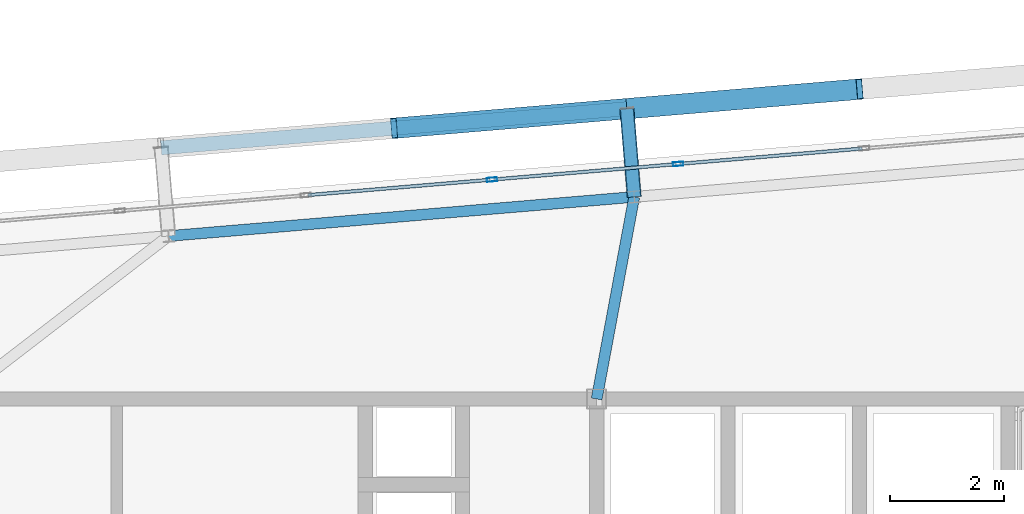
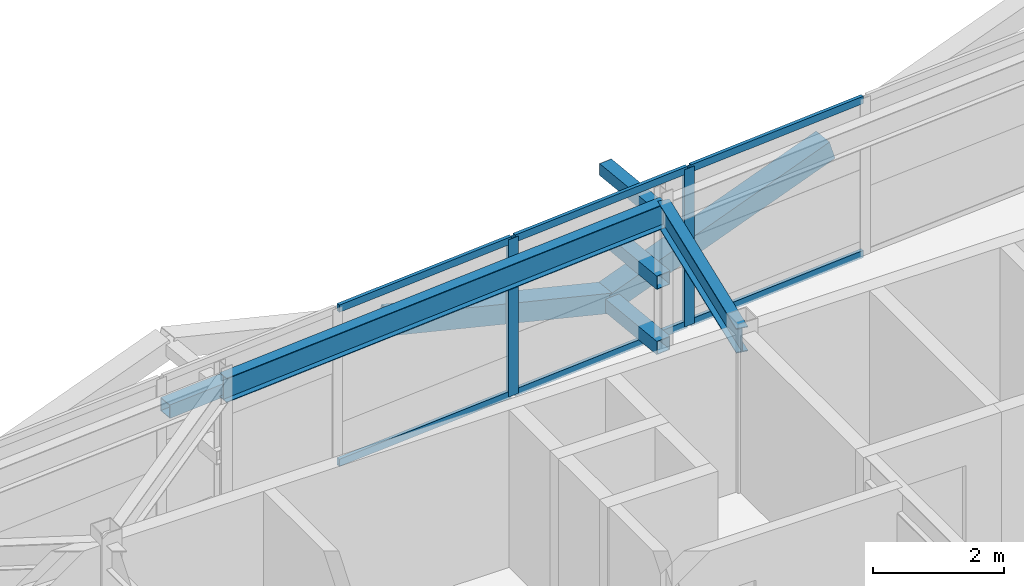
# One storey, part 29 of 46: 14 members, 2 beams, 1 element without a shape of its own.
"""IFC4 building model written with IfcOpenShell, lengths in metres."""

from ifc_helpers import new_model, si_unit, direction, frame, origin, origin_2d, place, context, subcontext, project, spatial, hollow_rectangle, i_section, extrude, source, transform, mapped, material, layer, layer_set, material_profile, profile_set, type_object, element, aggregate, save


model = new_model("IFC4")

# Units and contexts
model_context = context("Model", 3, precision=1e-05, world=origin(), true_north=direction((0.0, 1.0)))
body_context = subcontext(model_context, "Body", "Model", "MODEL_VIEW")
ifc_project = project(units=[si_unit("LENGTHUNIT", "METRE"), si_unit("AREAUNIT", "SQUARE_METRE"), si_unit("VOLUMEUNIT", "CUBIC_METRE"), si_unit("PLANEANGLEUNIT", "RADIAN"), si_unit("MASSUNIT", "GRAM", prefix="KILO")], contexts=[model_context])

# Site, building, storey
site_placement = place(None, origin())
site = spatial("IfcSite", under=ifc_project, at=site_placement, CompositionType="ELEMENT")
building_placement = place(site_placement, origin())
building = spatial("IfcBuilding", under=site, at=building_placement, Name="Taldren Reach Tower", CompositionType="ELEMENT")
storey_placement = place(building_placement, frame((0.0, 0.0, 194.60009765625)))
storey = spatial("IfcBuildingStorey", under=building, at=storey_placement, Name="L59", CompositionType="ELEMENT", Elevation=194.60009765625)

# Members
ifc_material_1 = material(Name="Steel Gr 350 (C350L0)", Category="steel")
ifc_material_profile_1 = material_profile(ifc_material_1, hollow_rectangle(XDim=0.25, YDim=0.25, WallThickness=0.010009765625, at=origin_2d()), Name="250x250x10.0SHS")
ifc_profile_set_1 = profile_set([ifc_material_profile_1], Name="Steel Gr 350 (C350L0)")
member_type_1 = type_object("IfcMemberType", Name="MB-POST250", PredefinedType="POST", material=ifc_profile_set_1)
shared_shape_1 = source(origin(), body_context, "Body", "SweptSolid", [
    extrude(hollow_rectangle(XDim=0.25, YDim=0.25, WallThickness=0.010009765625, at=origin_2d()), origin(), (0.0, 0.0, 1.0), 1.5498046875),
])
for number, where, z_axis, x_axis, name in (
    (1, (39.857666015625, 35.537109375, 0.219970703125), (-0.083645141657, 0.996495604746, 0.0), (-0.996495604746, -0.083645141657, 0.0), "Exoskeleton base diaphragm tie strut B4-N4 L59"),
    (2, (39.857666015625, 35.537109375, 1.434814453125), (-0.083645141657, 0.996495604746, 0.0), (-0.996495604746, -0.083645141657, 0.0), "Exoskeleton mid-tier diaphragm tie B4-N4 L59"),
):
    element("IfcMember", number, at=place(storey_placement, frame(where, z_axis=z_axis, x_axis=x_axis)), inside=storey, type_object=member_type_1, Name=name, PredefinedType="POST", context=body_context, shape_type="MappedRepresentation", body=[
        mapped(shared_shape_1, transform((0.0, 0.0, 0.0), scale=1.0)),
    ])

# Beams
ifc_material_2 = material(Name="Steel Gr 350 (350PLUS)", Category="steel")
ifc_material_profile_2 = material_profile(ifc_material_2, i_section(OverallWidth=0.18994140625, OverallDepth=0.4541015625, WebThickness=0.008544921875, FlangeThickness=0.0126953125, at=origin_2d()), Name="460UB67.1")
ifc_profile_set_2 = profile_set([ifc_material_profile_2], Name="Steel Gr 350 (350PLUS)")
beam_type_1 = type_object("IfcBeamType", Name="SP-UB460B", PredefinedType="SPANDREL", material=ifc_profile_set_2)
shared_shape_2 = source(origin(), body_context, "Body", "SweptSolid", [
    extrude(i_section(OverallWidth=0.18994140625, OverallDepth=0.4541015625, WebThickness=0.008544921875, FlangeThickness=0.0126953125, at=origin_2d()), origin(), (0.0, 0.0, 1.0), 8.18017578125),
])
beam_1_placement = place(storey_placement, frame((39.857666015625, 35.537109375, 2.702880859375), z_axis=(-0.996492034688, -0.083687662192, 0.0), x_axis=(0.083687662192, -0.996492034688, 0.0)))
element("IfcBeam", 3, at=beam_1_placement, inside=storey, type_object=beam_type_1, Name="Perimeter spandrel B4 N4-N3 L59", PredefinedType="SPANDREL", context=body_context, shape_type="MappedRepresentation", body=[
    mapped(shared_shape_2, transform((0.0, 0.0, 0.0), scale=1.0)),
])
ifc_material_profile_3 = material_profile(ifc_material_2, i_section(OverallWidth=0.19091796875, OverallDepth=0.4599609375, WebThickness=0.010009765625, FlangeThickness=0.01611328125, at=origin_2d()), Name="460UB82.1")
ifc_profile_set_3 = profile_set([ifc_material_profile_3], Name="Steel Gr 350 (350PLUS)")
beam_type_2 = type_object("IfcBeamType", Name="BM-UB460A", PredefinedType="BEAM", material=ifc_profile_set_3)
shared_shape_3 = source(origin(), body_context, "Body", "SweptSolid", [
    extrude(i_section(OverallWidth=0.19091796875, OverallDepth=0.4599609375, WebThickness=0.010009765625, FlangeThickness=0.01611328125, at=origin_2d()), origin(), (0.0, 0.0, 1.0), 3.59765625),
])
beam_2_placement = place(storey_placement, frame((39.199951171875, 32.0, 2.699951171875), z_axis=(0.182813344882, 0.983147639438, 0.0), x_axis=(-0.983147639438, 0.182813344882, 0.0)))
element("IfcBeam", 4, at=beam_2_placement, inside=storey, type_object=beam_type_2, Name="Primary floor girder B4-N4 L59", PredefinedType="BEAM", context=body_context, shape_type="MappedRepresentation", body=[
    mapped(shared_shape_3, transform((0.0, 0.0, 0.0), scale=1.0)),
])

# Members
ifc_material_3 = material(Name="Steel Gr 450 (C450L0)", Category="steel")
ifc_material_profile_4 = material_profile(ifc_material_3, hollow_rectangle(XDim=0.219970703125, YDim=0.219970703125, WallThickness=0.00830078125, at=origin_2d()), Name="220x220x8.2SHS")
ifc_profile_set_4 = profile_set([ifc_material_profile_4], Name="Steel Gr 450 (C450L0)")
member_type_2 = type_object("IfcMemberType", Name="MB-TIE219", PredefinedType="STRUT", material=ifc_profile_set_4)
shared_shape_4 = source(origin(), body_context, "Body", "SweptSolid", [
    extrude(hollow_rectangle(XDim=0.219970703125, YDim=0.219970703125, WallThickness=0.00830078125, at=origin_2d()), origin(), (0.0, 0.0, 1.0), 1.5498046875),
])
member_1_placement = place(storey_placement, frame((39.857666015625, 35.537109375, 2.64990234375), z_axis=(-0.083645141657, 0.996495604746, 0.0), x_axis=(-0.996495604746, -0.083645141657, 0.0)))
element("IfcMember", 5, at=member_1_placement, inside=storey, type_object=member_type_2, Name="Exoskeleton diaphragm tie strut B4-N4 L59", PredefinedType="STRUT", context=body_context, shape_type="MappedRepresentation", body=[
    mapped(shared_shape_4, transform((0.0, 0.0, 0.0), scale=1.0)),
])
shared_shape_5 = source(origin(), body_context, "Body", "SweptSolid", [
    extrude(hollow_rectangle(XDim=0.25, YDim=0.25, WallThickness=0.010009765625, at=origin_2d()), origin(), (0.0, 0.0, 1.0), 8.18017578125),
])
member_2_placement = place(storey_placement, frame((31.57666015625, 36.39697265625, 1.434814453125), z_axis=(0.996492034688, 0.083687662192, 0.0), x_axis=(-0.083687662192, 0.996492034688, 0.0)))
element("IfcMember", 6, at=member_2_placement, inside=storey, type_object=member_type_1, Name="Exoskeleton mid-height ring chord B4-N3 L59", PredefinedType="POST", context=body_context, shape_type="MappedRepresentation", body=[
    mapped(shared_shape_5, transform((0.0, 0.0, 0.0), scale=1.0)),
])
ifc_material_profile_5 = material_profile(ifc_material_3, hollow_rectangle(XDim=0.360107421875, YDim=0.360107421875, WallThickness=0.0126953125, at=origin_2d()), Name="360x360x12.7SHS")
ifc_profile_set_5 = profile_set([ifc_material_profile_5], Name="Steel Gr 450 (C450L0)")
member_type_3 = type_object("IfcMemberType", Name="MB-EXO356", PredefinedType="BRACE", material=ifc_profile_set_5)
shared_shape_6 = source(origin(), body_context, "Body", "SweptSolid", [
    extrude(hollow_rectangle(XDim=0.360107421875, YDim=0.360107421875, WallThickness=0.0126953125, at=origin_2d()), origin(), (0.0, 0.0, 1.0), 4.2666015625),
])
for number, where, z_axis, x_axis, name in (
    (7, (39.72802734375, 37.08154296875, 0.219970703125), (-0.955244723646, -0.080223619417, 0.284730906006), (0.083687662192, -0.996492034688, 0.0), "Exoskeleton Diagrid Brace B4-N3 L59"),
    (8, (39.72802734375, 37.08154296875, 0.219970703125), (0.955244723646, 0.080223619417, 0.284730906006), (-0.083687662192, 0.996492034688, 0.0), "Exoskeleton Diagrid Brace B4-N4 L59"),
):
    element("IfcMember", number, at=place(storey_placement, frame(where, z_axis=z_axis, x_axis=x_axis)), inside=storey, type_object=member_type_3, Name=name, PredefinedType="BRACE", context=body_context, shape_type="MappedRepresentation", body=[
        mapped(shared_shape_6, transform((0.0, 0.0, 0.0), scale=1.0)),
    ])

# Curtain wall, members
ifc_material_4 = material(Name="Aluminium and Low-E Glass Unitised System", Category="aluminium")
ifc_layer = layer(ifc_material_4, 0.159912109375)
ifc_layer_set = layer_set([ifc_layer], Name="Aluminium and Low-E Glass Unitised System")
curtain_wall_type = type_object("IfcCurtainWallType", Name="CW-SYS-5", PredefinedType="NOTDEFINED", material=ifc_layer_set)
curtain_wall_placement = place(storey_placement, origin())
curtain_wall = element("IfcCurtainWall", 9, at=curtain_wall_placement, inside=storey, type_object=curtain_wall_type, Name="Unitised curtain wall CW-L59-N", PredefinedType="NOTDEFINED")
ifc_material_5 = material(Name="Anodised Aluminium 6063-T6", Category="aluminium")
ifc_material_profile_6 = material_profile(ifc_material_5, hollow_rectangle(XDim=0.070068359375, YDim=0.179931640625, WallThickness=0.00390625, at=origin_2d()), Name="ALU-180x70x4RHS")
ifc_profile_set_6 = profile_set([ifc_material_profile_6], Name="Anodised Aluminium 6063-T6")
member_type_4 = type_object("IfcMemberType", Name="CW-MUL-180", PredefinedType="MULLION", material=ifc_profile_set_6)
shared_shape_7 = source(origin(), body_context, "Body", "SweptSolid", [
    extrude(hollow_rectangle(XDim=0.070068359375, YDim=0.179931640625, WallThickness=0.00390625, at=origin_2d()), origin(), (0.0, 0.0, 1.0), 2.929931640625),
])
member_3_placement = place(storey_placement, frame((40.6259765625, 36.11328125, 0.0), z_axis=(0.0, 0.0, 1.0), x_axis=(0.083677875247, -0.99649285657, 0.0)))
member_3 = element("IfcMember", 10, at=member_3_placement, type_object=member_type_4, Name="CW-5 mullion 6", PredefinedType="MULLION", context=body_context, shape_type="MappedRepresentation", body=[
    mapped(shared_shape_7, transform((0.0, 0.0, 0.0), scale=1.0)),
])
member_4_placement = place(storey_placement, frame((37.3681640625, 35.83984375, 0.0), z_axis=(0.0, 0.0, 1.0), x_axis=(0.083677875247, -0.99649285657, 0.0)))
member_4 = element("IfcMember", 11, at=member_4_placement, type_object=member_type_4, Name="CW-5 mullion 7", PredefinedType="MULLION", context=body_context, shape_type="MappedRepresentation", body=[
    mapped(shared_shape_7, transform((0.0, 0.0, 0.0), scale=1.0)),
])
ifc_material_profile_7 = material_profile(ifc_material_5, hollow_rectangle(XDim=0.06005859375, YDim=0.135009765625, WallThickness=0.00341796875, at=origin_2d()), Name="ALU-135x60x3.5RHS")
ifc_profile_set_7 = profile_set([ifc_material_profile_7], Name="Anodised Aluminium 6063-T6")
member_type_5 = type_object("IfcMemberType", Name="CW-TRN-150", PredefinedType="USERDEFINED", material=ifc_profile_set_7)
shared_shape_8 = source(origin(), body_context, "Body", "SweptSolid", [
    extrude(hollow_rectangle(XDim=0.06005859375, YDim=0.135009765625, WallThickness=0.00341796875, at=origin_2d()), origin(), (0.0, 0.0, 1.0), 3.19921875),
])
member_5_placement = place(storey_placement, frame((43.848876953125, 36.384033203125, 0.02978515625), z_axis=(-0.996489746258, -0.083714906697, 0.0), x_axis=(0.083714906697, -0.996489746258, 0.0)))
member_5 = element("IfcMember", 12, at=member_5_placement, type_object=member_type_5, Name="CW-5 transom 5.1", ObjectType="TRANSOM", PredefinedType="USERDEFINED", context=body_context, shape_type="MappedRepresentation", body=[
    mapped(shared_shape_8, transform((0.0, 0.0, 0.0), scale=1.0)),
])
member_6_placement = place(storey_placement, frame((43.848876953125, 36.384033203125, 2.89990234375), z_axis=(-0.996489746258, -0.083714906697, 0.0), x_axis=(0.083714906697, -0.996489746258, 0.0)))
member_6 = element("IfcMember", 13, at=member_6_placement, type_object=member_type_5, Name="CW-5 transom 5.2", ObjectType="TRANSOM", PredefinedType="USERDEFINED", context=body_context, shape_type="MappedRepresentation", body=[
    mapped(shared_shape_8, transform((0.0, 0.0, 0.0), scale=1.0)),
])
member_7_placement = place(storey_placement, frame((40.591064453125, 36.1103515625, 0.02978515625), z_axis=(-0.996496109493, -0.083639128198, 0.0), x_axis=(0.083639128198, -0.996496109493, 0.0)))
member_7 = element("IfcMember", 14, at=member_7_placement, type_object=member_type_5, Name="CW-5 transom 6.1", ObjectType="TRANSOM", PredefinedType="USERDEFINED", context=body_context, shape_type="MappedRepresentation", body=[
    mapped(shared_shape_8, transform((0.0, 0.0, 0.0), scale=1.0)),
])
member_8_placement = place(storey_placement, frame((40.591064453125, 36.1103515625, 2.89990234375), z_axis=(-0.996496109493, -0.083639128198, 0.0), x_axis=(0.083639128198, -0.996496109493, 0.0)))
member_8 = element("IfcMember", 15, at=member_8_placement, type_object=member_type_5, Name="CW-5 transom 6.2", ObjectType="TRANSOM", PredefinedType="USERDEFINED", context=body_context, shape_type="MappedRepresentation", body=[
    mapped(shared_shape_8, transform((0.0, 0.0, 0.0), scale=1.0)),
])
member_9_placement = place(storey_placement, frame((37.33349609375, 35.8369140625, 0.02978515625), z_axis=(-0.996489746258, -0.083714906697, 0.0), x_axis=(0.083714906697, -0.996489746258, 0.0)))
member_9 = element("IfcMember", 16, at=member_9_placement, type_object=member_type_5, Name="CW-5 transom 7.1", ObjectType="TRANSOM", PredefinedType="USERDEFINED", context=body_context, shape_type="MappedRepresentation", body=[
    mapped(shared_shape_8, transform((0.0, 0.0, 0.0), scale=1.0)),
])
member_10_placement = place(storey_placement, frame((37.33349609375, 35.8369140625, 2.89990234375), z_axis=(-0.996489746258, -0.083714906697, 0.0), x_axis=(0.083714906697, -0.996489746258, 0.0)))
member_10 = element("IfcMember", 17, at=member_10_placement, type_object=member_type_5, Name="CW-5 transom 7.2", ObjectType="TRANSOM", PredefinedType="USERDEFINED", context=body_context, shape_type="MappedRepresentation", body=[
    mapped(shared_shape_8, transform((0.0, 0.0, 0.0), scale=1.0)),
])
aggregate(curtain_wall, [member_3, member_4, member_5, member_6, member_7, member_8, member_9, member_10])

save(model, "model.ifc")
